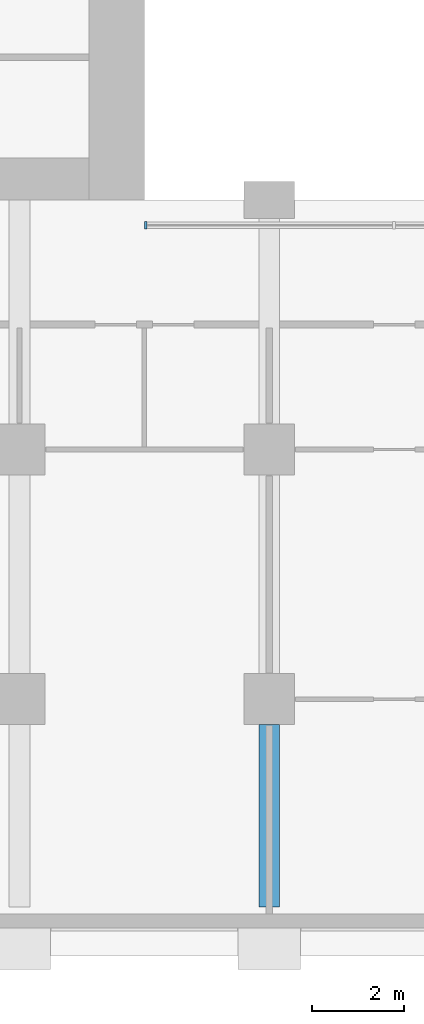
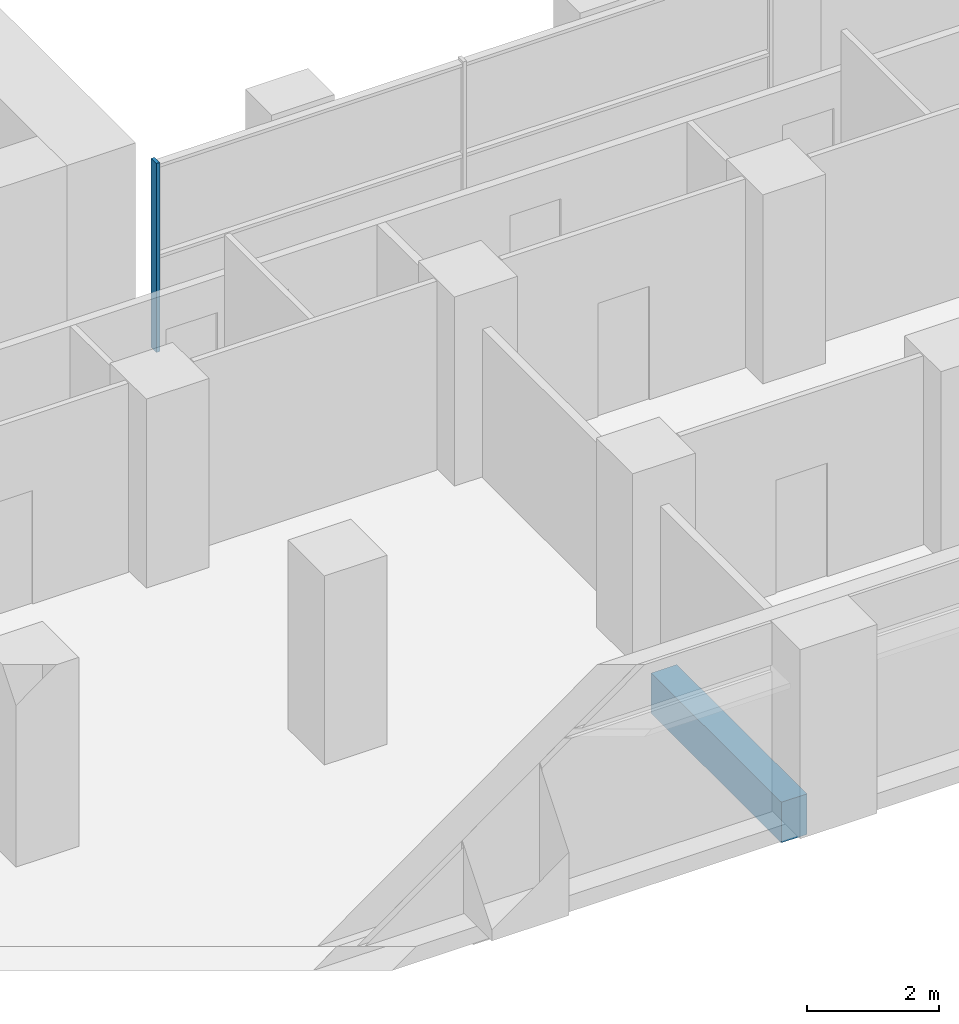
# One storey, part 2 of 13: 1 beam, 1 member, 1 element without a shape of its own.
"""IFC4 building model written with IfcOpenShell, lengths in metres."""

from ifc_helpers import new_model, si_unit, direction, frame, origin, origin_2d, place, context, subcontext, project, spatial, rectangle, extrude, material, material_profile, profile_set, type_object, element, aggregate, save


model = new_model("IFC4")

# Units and contexts
model_context = context("Model", 3, precision=1e-05, world=origin(), true_north=direction((0.0, 1.0)))
body_context = subcontext(model_context, "Body", "Model", "MODEL_VIEW")
ifc_project = project(units=[si_unit("LENGTHUNIT", "METRE"), si_unit("AREAUNIT", "SQUARE_METRE"), si_unit("VOLUMEUNIT", "CUBIC_METRE"), si_unit("PLANEANGLEUNIT", "RADIAN"), si_unit("MASSUNIT", "GRAM", prefix="KILO")], contexts=[model_context])

# Site, building, storey
site_placement = place(None, origin())
site = spatial("IfcSite", under=ifc_project, at=site_placement, CompositionType="ELEMENT")
building_placement = place(site_placement, origin())
building = spatial("IfcBuilding", under=site, at=building_placement, Name="Tabaq Tower and Sports Hall", CompositionType="ELEMENT")
storey_placement = place(building_placement, frame((0.0, 0.0, 37.39990234375)))
storey = spatial("IfcBuildingStorey", under=building, at=storey_placement, Name="L07", CompositionType="ELEMENT", Elevation=37.39990234375)

# Curtain wall, member
ifc_material_1 = material(Name="Aluminium alloy 6063-T6 framed glazing", Category="aluminium")
curtain_wall_type = type_object("IfcCurtainWallType", Name="CW1 curtain wall", PredefinedType="USERDEFINED", material=ifc_material_1)
curtain_wall_placement = place(storey_placement, origin())
curtain_wall = element("IfcCurtainWall", 1, at=curtain_wall_placement, inside=storey, type_object=curtain_wall_type, Name="Atrium glazing L07 S", ObjectType="ATRIUM ENCLOSURE", PredefinedType="USERDEFINED")
ifc_material_2 = material(Name="Aluminium alloy 6063-T6", Category="aluminium")
ifc_material_profile_1 = material_profile(ifc_material_2, rectangle(XDim=0.159912109375, YDim=0.06005859375, at=origin_2d()), Name="MULLION 160x60")
ifc_profile_set_1 = profile_set([ifc_material_profile_1], Name="Aluminium alloy 6063-T6")
member_type = type_object("IfcMemberType", Name="CW1 mullion 160x60", PredefinedType="MULLION", material=ifc_profile_set_1)
member_placement = place(storey_placement, frame((18.929931640625, 15.64990234375, 0.0), z_axis=(0.0, 0.0, 1.0), x_axis=(0.0, 1.0, 0.0)))
member = element("IfcMember", 2, at=member_placement, type_object=member_type, Name="CW1 mullion 1", PredefinedType="MULLION", context=body_context, shape_type="SweptSolid", body=[
    extrude(rectangle(XDim=0.159912109375, YDim=0.06005859375, at=origin_2d()), origin(), (0.0, 0.0, 1.0), 3.5),
])
aggregate(curtain_wall, [member])

# Beam
ifc_material_3 = material(Name="Concrete C40/50", Category="concrete")
ifc_material_profile_2 = material_profile(ifc_material_3, rectangle(XDim=0.449951171875, YDim=0.75, at=origin_2d()), Name="CB 450x750")
ifc_profile_set_2 = profile_set([ifc_material_profile_2], Name="Concrete C40/50")
beam_type = type_object("IfcBeamType", Name="PT CANTILEVER BEAM CB 450x750 C40/50", PredefinedType="BEAM", material=ifc_profile_set_2)
beam_placement = place(storey_placement, frame((21.60009765625, 0.89990234375, -0.6748046875), z_axis=(0.0, 1.0, 0.0), x_axis=(-1.0, 0.0, 0.0)))
element("IfcBeam", 3, at=beam_placement, inside=storey, type_object=beam_type, Name="Cantilever Beam L07 S4 span 1", PredefinedType="BEAM", context=body_context, shape_type="SweptSolid", body=[
    extrude(rectangle(XDim=0.449951171875, YDim=0.75, at=origin_2d()), origin(), (0.0, 0.0, 1.0), 3.9501953125),
])

save(model, "model.ifc")
